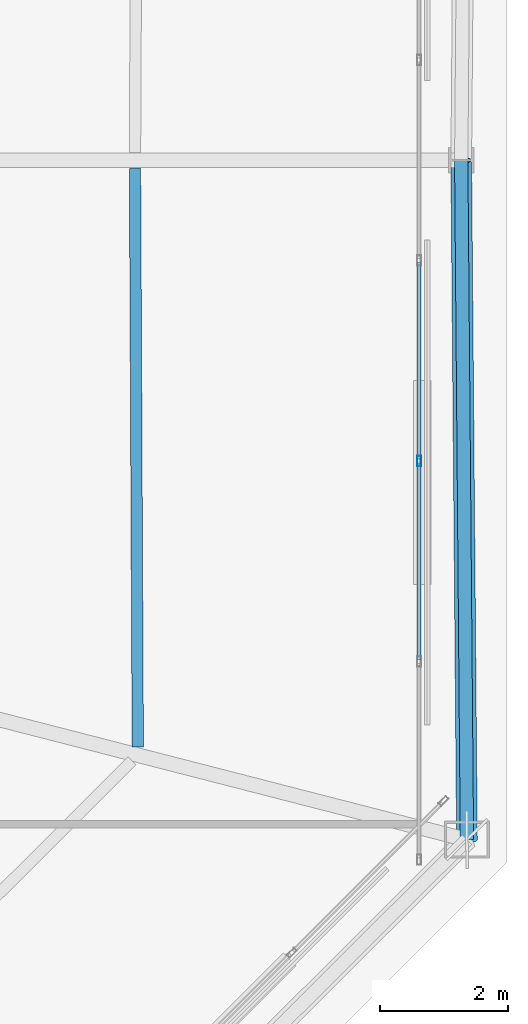
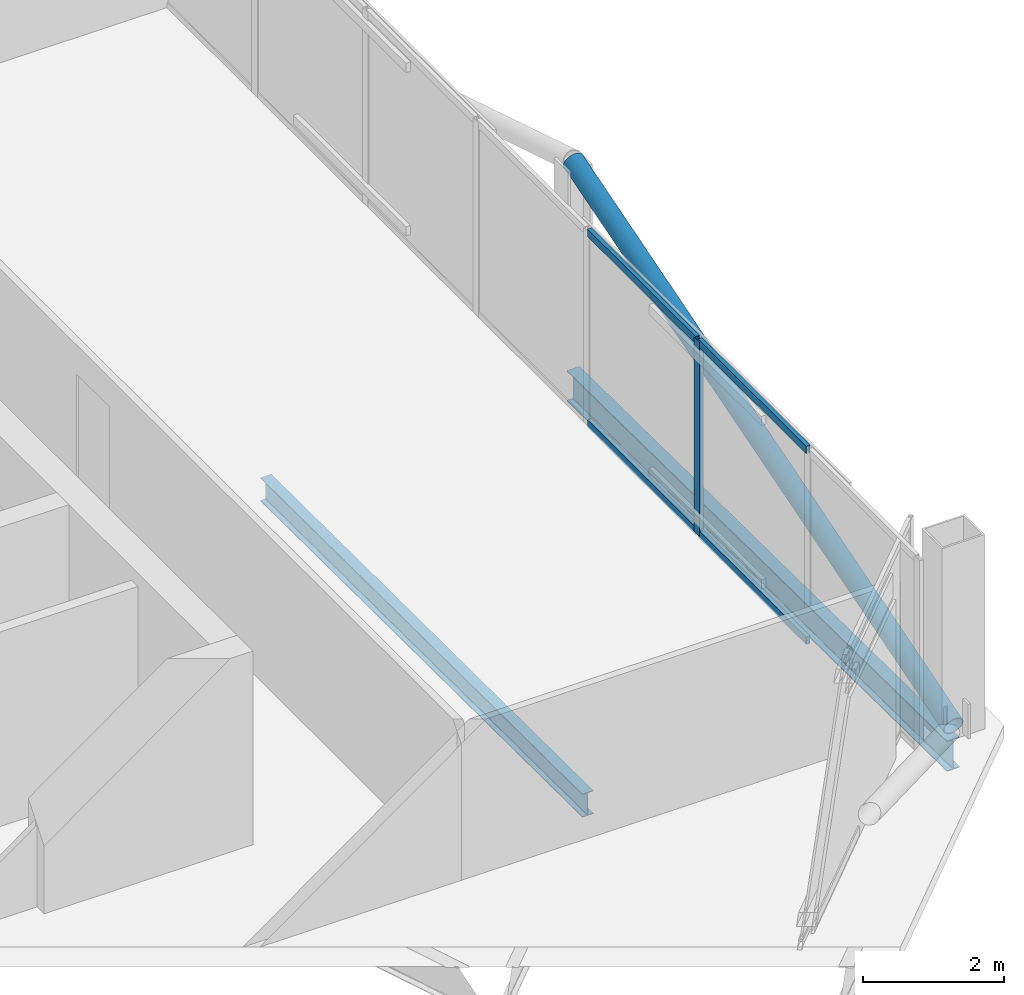
# One storey, part 16 of 26: 6 members, 2 beams, 1 element without a shape of its own.
"""IFC4 building model written with IfcOpenShell, lengths in metres."""

from ifc_helpers import new_model, si_unit, direction, frame, origin, origin_2d, place, context, subcontext, project, spatial, hollow_rectangle, hollow_circle, i_section, extrude, material, layer, layer_set, material_profile, profile_set, type_object, element, aggregate, save


model = new_model("IFC4")

# Units and contexts
model_context = context("Model", 3, precision=1e-05, world=origin(), true_north=direction((0.0, 1.0)))
body_context = subcontext(model_context, "Body", "Model", "MODEL_VIEW")
ifc_project = project(units=[si_unit("LENGTHUNIT", "METRE"), si_unit("AREAUNIT", "SQUARE_METRE"), si_unit("VOLUMEUNIT", "CUBIC_METRE"), si_unit("PLANEANGLEUNIT", "RADIAN"), si_unit("MASSUNIT", "GRAM", prefix="KILO")], contexts=[model_context])

# Site, building, storey
site_placement = place(None, origin())
site = spatial("IfcSite", under=ifc_project, at=site_placement, CompositionType="ELEMENT")
building_placement = place(site_placement, origin())
building = spatial("IfcBuilding", under=site, at=building_placement, Name="Caelvoria Tower", CompositionType="ELEMENT")
storey_placement = place(building_placement, frame((0.0, 0.0, 239.39990234375)))
storey = spatial("IfcBuildingStorey", under=building, at=storey_placement, Name="L63", CompositionType="ELEMENT", Elevation=239.39990234375)

# Curtain wall, members
ifc_material_1 = material(Name="Anodised Bronze Aluminium and Low-E Glass", Category="aluminium")
ifc_layer = layer(ifc_material_1, 0.175048828125, Name="Anodised Bronze Aluminium and Low-E Glass")
ifc_layer_set = layer_set([ifc_layer], Name="CW System 4 High-Zone Tapered Crystal Facade - Anodised Bronze Aluminium and Low-E Glass")
curtain_wall_type = type_object("IfcCurtainWallType", Name="CW System 4 High-Zone Tapered Crystal Facade", PredefinedType="NOTDEFINED", material=ifc_layer_set)
curtain_wall_placement = place(storey_placement, origin())
curtain_wall = element("IfcCurtainWall", 1, at=curtain_wall_placement, inside=storey, type_object=curtain_wall_type, Name="CW-04 Curtain Wall L63-E2", PredefinedType="NOTDEFINED")
ifc_material_2 = material(Name="Anodised Bronze Architectural Aluminium", Category="aluminium")
ifc_material_profile_1 = material_profile(ifc_material_2, hollow_rectangle(XDim=0.06494140625, YDim=0.159912109375, WallThickness=0.00390625, at=origin_2d()), Name="Anodised Bronze Architectural Aluminium")
ifc_profile_set_1 = profile_set([ifc_material_profile_1], Name="CW_MULL_65X160 - Anodised Bronze Architectural Aluminium")
member_type_1 = type_object("IfcMemberType", Name="Curtain Wall Mullion 65x160 Bronze Aluminium", PredefinedType="MULLION", material=ifc_profile_set_1)
member_1_placement = place(storey_placement, frame((64.570068359375, 27.28564453125, 0.0), z_axis=(0.0, 0.0, 1.0), x_axis=(-1.0, 0.0, 0.0)))
member_1 = element("IfcMember", 2, at=member_1_placement, type_object=member_type_1, Name="CW-04 mullion 3", PredefinedType="MULLION", context=body_context, shape_type="SweptSolid", body=[
    extrude(hollow_rectangle(XDim=0.06494140625, YDim=0.159912109375, WallThickness=0.00390625, at=origin_2d()), origin(), (0.0, 0.0, 1.0), 3.375),
])
ifc_material_profile_2 = material_profile(ifc_material_2, hollow_rectangle(XDim=0.06494140625, YDim=0.1298828125, WallThickness=0.00341796875, at=origin_2d()), Name="Anodised Bronze Architectural Aluminium")
ifc_profile_set_2 = profile_set([ifc_material_profile_2], Name="CW_TRAN_65X130 - Anodised Bronze Architectural Aluminium")
member_type_2 = type_object("IfcMemberType", Name="Curtain Wall Transom 65x130 Bronze Aluminium", PredefinedType="USERDEFINED", material=ifc_profile_set_2)
member_2_placement = place(storey_placement, frame((64.570068359375, 24.17529296875, 0.03271484375), z_axis=(0.0, 1.0, 0.0), x_axis=(-1.0, 0.0, 0.0)))
member_2 = element("IfcMember", 3, at=member_2_placement, type_object=member_type_2, Name="CW-04 transom 2.1", ObjectType="TRANSOM", PredefinedType="USERDEFINED", context=body_context, shape_type="SweptSolid", body=[
    extrude(hollow_rectangle(XDim=0.06494140625, YDim=0.1298828125, WallThickness=0.00341796875, at=origin_2d()), origin(), (0.0, 0.0, 1.0), 3.077880859375),
])
member_3_placement = place(storey_placement, frame((64.570068359375, 24.17529296875, 3.342529296875), z_axis=(0.0, 1.0, 0.0), x_axis=(-1.0, 0.0, 0.0)))
member_3 = element("IfcMember", 4, at=member_3_placement, type_object=member_type_2, Name="CW-04 transom 2.2", ObjectType="TRANSOM", PredefinedType="USERDEFINED", context=body_context, shape_type="SweptSolid", body=[
    extrude(hollow_rectangle(XDim=0.06494140625, YDim=0.1298828125, WallThickness=0.00341796875, at=origin_2d()), origin(), (0.0, 0.0, 1.0), 3.077880859375),
])
member_4_placement = place(storey_placement, frame((64.570068359375, 27.318115234375, 0.03271484375), z_axis=(0.0, 1.0, 0.0), x_axis=(-1.0, 0.0, 0.0)))
member_4 = element("IfcMember", 5, at=member_4_placement, type_object=member_type_2, Name="CW-04 transom 3.1", ObjectType="TRANSOM", PredefinedType="USERDEFINED", context=body_context, shape_type="SweptSolid", body=[
    extrude(hollow_rectangle(XDim=0.06494140625, YDim=0.1298828125, WallThickness=0.00341796875, at=origin_2d()), origin(), (0.0, 0.0, 1.0), 3.077880859375),
])
member_5_placement = place(storey_placement, frame((64.570068359375, 27.318115234375, 3.342529296875), z_axis=(0.0, 1.0, 0.0), x_axis=(-1.0, 0.0, 0.0)))
member_5 = element("IfcMember", 6, at=member_5_placement, type_object=member_type_2, Name="CW-04 transom 3.2", ObjectType="TRANSOM", PredefinedType="USERDEFINED", context=body_context, shape_type="SweptSolid", body=[
    extrude(hollow_rectangle(XDim=0.06494140625, YDim=0.1298828125, WallThickness=0.00341796875, at=origin_2d()), origin(), (0.0, 0.0, 1.0), 3.077880859375),
])
aggregate(curtain_wall, [member_1, member_2, member_3, member_4, member_5])

# Beam
ifc_material_3 = material(Name="Structural Steel ASTM A992 Gr.50", Category="steel")
ifc_material_profile_3 = material_profile(ifc_material_3, i_section(OverallWidth=0.177978515625, OverallDepth=0.406982421875, WebThickness=0.0078125, FlangeThickness=0.0126953125, FilletRadius=0.013916015625, at=origin_2d()), Name="Structural Steel ASTM A992 Gr.50")
ifc_profile_set_3 = profile_set([ifc_material_profile_3], Name="W410X60 - Structural Steel ASTM A992 Gr.50")
beam_type_1 = type_object("IfcBeamType", Name="Secondary Floor Beam W410X60", PredefinedType="BEAM", material=ifc_profile_set_3)
beam_1_placement = place(storey_placement, frame((60.1591796875, 22.798828125, -0.428466796875), z_axis=(-0.004814878553, 0.999988408405, 0.0), x_axis=(-0.999988408405, -0.004814878553, 0.0)))
element("IfcBeam", 7, at=beam_1_placement, inside=storey, type_object=beam_type_1, Name="Secondary Floor Beam L63-03", PredefinedType="BEAM", context=body_context, shape_type="SweptSolid", body=[
    extrude(i_section(OverallWidth=0.177978515625, OverallDepth=0.406982421875, WebThickness=0.0078125, FlangeThickness=0.0126953125, FilletRadius=0.013916015625, at=origin_2d()), origin(), (0.0, 0.0, 1.0), 9.076171875),
])

# Member
ifc_material_4 = material(Name="Structural Steel ASTM A572 Gr.50", Category="steel")
ifc_material_profile_4 = material_profile(ifc_material_4, hollow_circle(Radius=0.162109375, WallThickness=0.0126953125, at=origin_2d()), Name="Structural Steel ASTM A572 Gr.50")
ifc_profile_set_4 = profile_set([ifc_material_profile_4], Name="CHS324X12.7 - Structural Steel ASTM A572 Gr.50")
member_type_3 = type_object("IfcMemberType", Name="Summit Perimeter Mega Brace CHS324X12.7", PredefinedType="BRACE", material=ifc_profile_set_4)
member_6_placement = place(storey_placement, frame((65.319580078125, 21.34765625, 0.0), z_axis=(-0.008018168554, 0.953266295217, 0.302024964821), x_axis=(-0.999964627248, -0.008410960263, 0.0)))
element("IfcMember", 8, at=member_6_placement, inside=storey, type_object=member_type_3, Name="Perimeter Cardinal Mega Brace L63 EA", PredefinedType="BRACE", context=body_context, shape_type="SweptSolid", body=[
    extrude(hollow_circle(Radius=0.162109375, WallThickness=0.0126953125, at=origin_2d()), origin(), (0.0, 0.0, 1.0), 11.174560546875),
])

# Beam
ifc_material_profile_5 = material_profile(ifc_material_3, i_section(OverallWidth=0.208984375, OverallDepth=0.532958984375, WebThickness=0.01025390625, FlangeThickness=0.015625, FilletRadius=0.01611328125, at=origin_2d()), Name="Structural Steel ASTM A992 Gr.50")
ifc_profile_set_5 = profile_set([ifc_material_profile_5], Name="W530X92 - Structural Steel ASTM A992 Gr.50")
beam_type_2 = type_object("IfcBeamType", Name="Upper Zone Spandrel W530X92", PredefinedType="BEAM", material=ifc_profile_set_5)
beam_2_placement = place(storey_placement, frame((65.319580078125, 21.34765625, -0.491455078125), z_axis=(-0.008410960263, 0.999964627248, 0.0), x_axis=(-0.999964627248, -0.008410960263, 0.0)))
element("IfcBeam", 9, at=beam_2_placement, inside=storey, type_object=beam_type_2, Name="Perimeter Spandrel Girder L63-03", PredefinedType="BEAM", context=body_context, shape_type="SweptSolid", body=[
    extrude(i_section(OverallWidth=0.208984375, OverallDepth=0.532958984375, WebThickness=0.01025390625, FlangeThickness=0.015625, FilletRadius=0.01611328125, at=origin_2d()), origin(), (0.0, 0.0, 1.0), 10.65283203125),
])

save(model, "model.ifc")
